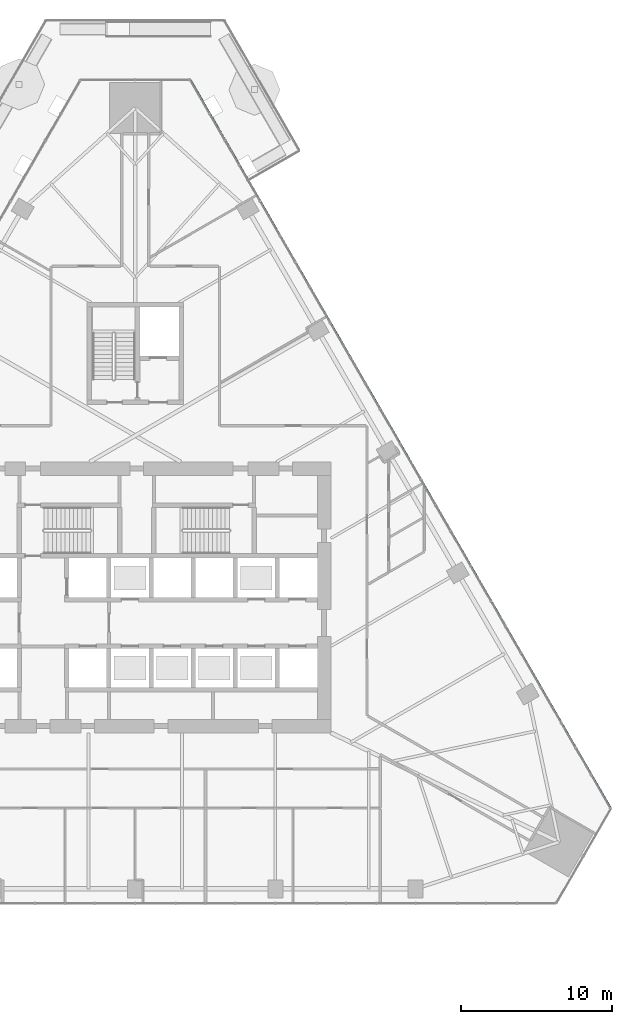
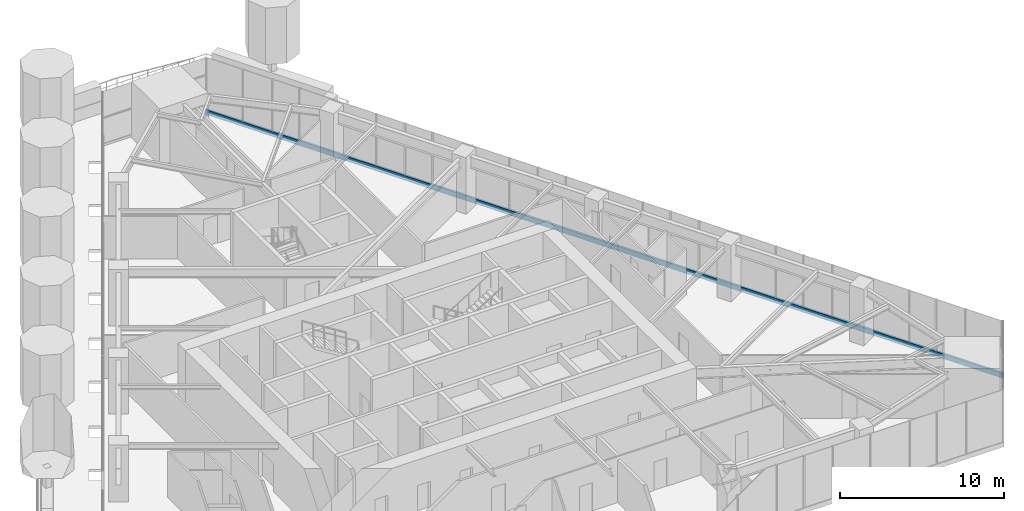
# One storey, part 11 of 25: 1 member, 1 element without a shape of its own.
"""IFC4 building model written with IfcOpenShell, lengths in metres."""

from ifc_helpers import new_model, si_unit, direction, frame, origin, origin_2d, place, context, subcontext, project, spatial, rectangle, extrude, material, layer, layer_set, material_profile, profile_set, type_object, element, aggregate, save


model = new_model("IFC4")

# Units and contexts
model_context = context("Model", 3, precision=1e-05, world=origin(), true_north=direction((0.0, 1.0)))
body_context = subcontext(model_context, "Body", "Model", "MODEL_VIEW")
ifc_project = project(units=[si_unit("LENGTHUNIT", "METRE"), si_unit("AREAUNIT", "SQUARE_METRE"), si_unit("VOLUMEUNIT", "CUBIC_METRE"), si_unit("PLANEANGLEUNIT", "RADIAN"), si_unit("MASSUNIT", "GRAM", prefix="KILO")], contexts=[model_context])

# Site, building, storey
site_placement = place(None, origin())
site = spatial("IfcSite", under=ifc_project, at=site_placement, CompositionType="ELEMENT")
building_placement = place(site_placement, origin())
building = spatial("IfcBuilding", under=site, at=building_placement, Name="Firuza Gate Tower and Library", CompositionType="ELEMENT")
storey_placement = place(building_placement, frame((0.0, 0.0, 119.800048828125)))
storey = spatial("IfcBuildingStorey", under=building, at=storey_placement, Name="L27", CompositionType="ELEMENT", Elevation=119.800048828125)

# Curtain wall, member
ifc_material_1 = material(Name="Aluminium 6063-T6", Category="aluminium")
ifc_layer = layer(ifc_material_1, 0.14990234375)
ifc_layer_set = layer_set([ifc_layer], Name="Unitised curtain wall, offices")
curtain_wall_type = type_object("IfcCurtainWallType", Name="Unitised curtain wall, offices", PredefinedType="NOTDEFINED", material=ifc_layer_set)
curtain_wall_placement = place(storey_placement, origin())
curtain_wall = element("IfcCurtainWall", 1, at=curtain_wall_placement, inside=storey, type_object=curtain_wall_type, Name="CW1 L27 E face", PredefinedType="NOTDEFINED")
ifc_material_2 = material(Name="Aluminium 6063-T6", Category="aluminium")
ifc_material_profile = material_profile(ifc_material_2, rectangle(XDim=0.14990234375, YDim=0.35009765625, at=origin_2d()))
ifc_profile_set = profile_set([ifc_material_profile], Name="Aluminium 6063-T6")
member_type = type_object("IfcMemberType", Name="Curtain wall transom 350x150", PredefinedType="USERDEFINED", material=ifc_profile_set)
member_placement = place(storey_placement, frame((106.601806640625, 60.961669921875, -0.025146484375), z_axis=(-0.499999989377, 0.866025409918, 0.0), x_axis=(-0.866025409918, -0.499999989377, 0.0)))
member = element("IfcMember", 2, at=member_placement, type_object=member_type, Name="Transom", ObjectType="TRANSOM", PredefinedType="USERDEFINED", context=body_context, shape_type="SweptSolid", body=[
    extrude(rectangle(XDim=0.14990234375, YDim=0.35009765625, at=origin_2d()), origin(), (0.0, 0.0, 1.0), 55.9169921875),
])
aggregate(curtain_wall, [member])

save(model, "model.ifc")
